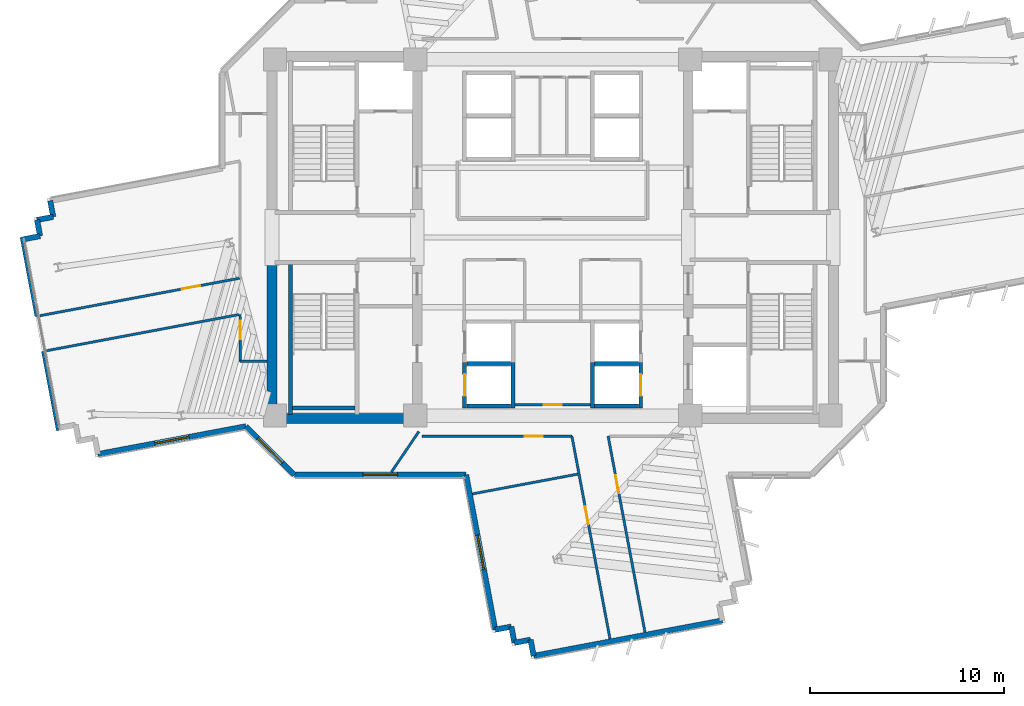
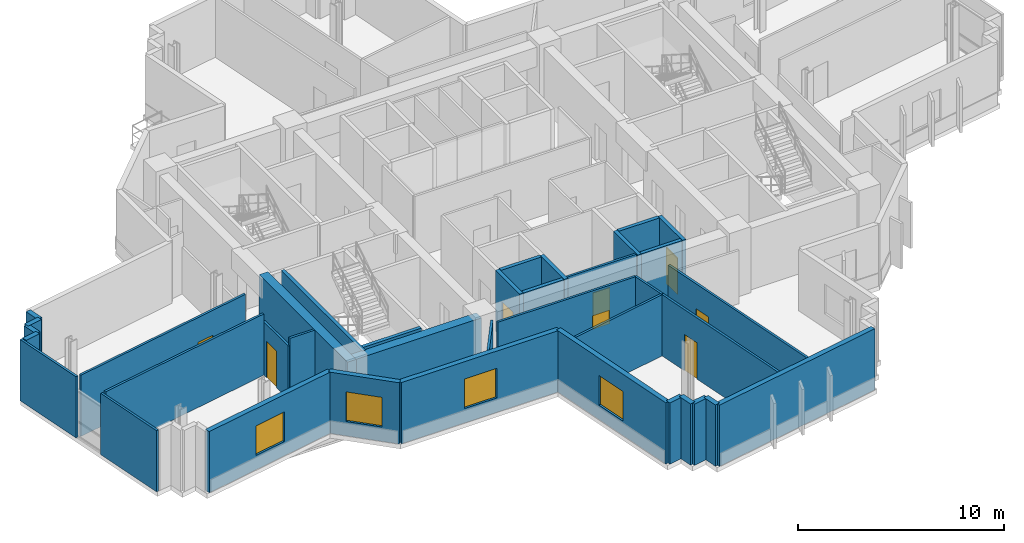
# One storey, part 8 of 16: 38 walls, 8 doors, 4 windows, 12 openings.
"""IFC4 building model written with IfcOpenShell, lengths in metres."""

from ifc_helpers import new_model, si_unit, direction, frame, frame_2d, origin, place, context, subcontext, project, spatial, rectangle, extrude, source, transform, mapped, material, layer, layer_set, type_object, element, fill, save


model = new_model("IFC4")

# Units and contexts
model_context = context("Model", 3, precision=1e-05, world=origin(), true_north=direction((0.0, 1.0)))
body_context = subcontext(model_context, "Body", "Model", "MODEL_VIEW")
ifc_project = project(units=[si_unit("LENGTHUNIT", "METRE"), si_unit("AREAUNIT", "SQUARE_METRE"), si_unit("VOLUMEUNIT", "CUBIC_METRE"), si_unit("PLANEANGLEUNIT", "RADIAN"), si_unit("MASSUNIT", "GRAM", prefix="KILO")], contexts=[model_context])

# Site, building, storey
site_placement = place(None, origin())
site = spatial("IfcSite", under=ifc_project, at=site_placement, CompositionType="ELEMENT")
building_placement = place(site_placement, origin())
building = spatial("IfcBuilding", under=site, at=building_placement, Name="Zahravan Cultural Tower", CompositionType="ELEMENT")
storey_placement = place(building_placement, frame((0.0, 0.0, 151.199951171875)))
storey = spatial("IfcBuildingStorey", under=building, at=storey_placement, Name="L34", CompositionType="ELEMENT", Elevation=151.199951171875)

# Wall, opening, window
ifc_material_1 = material(Name="Precast concrete C40/50", Category="concrete")
ifc_layer_1 = layer(ifc_material_1, 0.280029296875)
ifc_layer_set_1 = layer_set([ifc_layer_1], Name="Precast concrete C40/50")
wall_type_1 = type_object("IfcWallType", Name="EW-TC-280", PredefinedType="SOLIDWALL", material=ifc_layer_set_1)
wall_1_placement = place(storey_placement, frame((33.029052734375, 6.7431640625, 0.0), z_axis=(0.0, 0.0, 1.0), x_axis=(-0.184649032166, 0.982804525285, 0.0)))
wall_1 = element("IfcWall", 1, at=wall_1_placement, inside=storey, type_object=wall_type_1, Name="L34 Exterior Masonry Frame Wall 24", PredefinedType="SOLIDWALL", context=body_context, shape_type="SweptSolid", body=[
    extrude(rectangle(XDim=8.13671875, YDim=0.280029296875, at=frame_2d((4.068359375, 0.0))), origin(), (0.0, 0.0, 1.0), 3.6201171875),
])
opening_1_placement = place(wall_1_placement, frame((3.16796875, 0.0, 0.85009765625)))
opening_1 = element("IfcOpeningElement", 2, at=opening_1_placement, cuts=wall_1, Name="Opening WN-02", PredefinedType="OPENING", context=body_context, shape_type="SweptSolid", body=[
    extrude(rectangle(XDim=1.800048828125, YDim=1.75, at=frame_2d((0.89990234375, 0.875))), frame((0.0, 0.14990234375, 0.0), z_axis=(0.0, -1.0, 0.0), x_axis=(1.0, 0.0, 0.0)), (0.0, 0.0, 1.0), 0.300048828125),
])
ifc_material_2 = material(Name="Low-E solar-control double glazing", Category="glass")
window_type = type_object("IfcWindowType", Name="WN-REC-1800X1750", PartitioningType="DOUBLE_PANEL_VERTICAL", PredefinedType="WINDOW", material=ifc_material_2)
shared_shape_1 = source(origin(), body_context, "Body", "SweptSolid", [
    extrude(rectangle(XDim=1.800048828125, YDim=1.75, at=frame_2d((0.89990234375, 0.875))), frame((0.0, 0.030029296875, 0.0), z_axis=(0.0, -1.0, 0.0), x_axis=(1.0, 0.0, 0.0)), (0.0, 0.0, 1.0), 0.06005859375),
])
window_1_placement = place(opening_1_placement, origin())
window_1 = element("IfcWindow", 3, at=window_1_placement, inside=storey, type_object=window_type, Name="L34 Recessed Solar Window 05", OverallHeight=1.75, OverallWidth=1.800048828125, PartitioningType="DOUBLE_PANEL_VERTICAL", PredefinedType="WINDOW", context=body_context, shape_type="MappedRepresentation", body=[
    mapped(shared_shape_1, transform((0.0, 0.0, 0.0), x_axis=(1.0, 0.0, 0.0), y_axis=(0.0, 1.0, 0.0), z_axis=(0.0, 0.0, 1.0), scale=1.0)),
])
fill(opening_1, window_1)

wall_2_placement = place(storey_placement, frame((31.526611328125, 14.739990234375, 0.0), z_axis=(0.0, 0.0, 1.0), x_axis=(-1.0, 0.0, 0.0)))
wall_2 = element("IfcWall", 4, at=wall_2_placement, inside=storey, type_object=wall_type_1, Name="L34 Exterior Masonry Frame Wall 25", PredefinedType="SOLIDWALL", context=body_context, shape_type="SweptSolid", body=[
    extrude(rectangle(XDim=8.86865234375, YDim=0.280029296875, at=frame_2d((4.434326171875, 0.0))), origin(), (0.0, 0.0, 1.0), 3.6201171875),
])
opening_2_placement = place(wall_2_placement, frame((3.533935546875, 0.0, 0.85009765625)))
opening_2 = element("IfcOpeningElement", 5, at=opening_2_placement, cuts=wall_2, Name="Opening WN-02", PredefinedType="OPENING", context=body_context, shape_type="SweptSolid", body=[
    extrude(rectangle(XDim=1.800048828125, YDim=1.75, at=frame_2d((0.89990234375, 0.875))), frame((0.0, 0.14990234375, 0.0), z_axis=(0.0, -1.0, 0.0), x_axis=(1.0, 0.0, 0.0)), (0.0, 0.0, 1.0), 0.300048828125),
])
window_2_placement = place(opening_2_placement, origin())
window_2 = element("IfcWindow", 6, at=window_2_placement, inside=storey, type_object=window_type, Name="L34 Recessed Solar Window 06", OverallHeight=1.75, OverallWidth=1.800048828125, PartitioningType="DOUBLE_PANEL_VERTICAL", PredefinedType="WINDOW", context=body_context, shape_type="MappedRepresentation", body=[
    mapped(shared_shape_1, transform((0.0, 0.0, 0.0), x_axis=(1.0, 0.0, 0.0), y_axis=(0.0, 1.0, 0.0), z_axis=(0.0, 0.0, 1.0), scale=1.0)),
])
fill(opening_2, window_2)

wall_3_placement = place(storey_placement, frame((22.657958984375, 14.739990234375, 0.0), z_axis=(0.0, 0.0, 1.0), x_axis=(-0.707106781187, 0.707106781187, 0.0)))
wall_3 = element("IfcWall", 7, at=wall_3_placement, inside=storey, type_object=wall_type_1, Name="L34 Exterior Masonry Frame Wall 26", PredefinedType="SOLIDWALL", context=body_context, shape_type="SweptSolid", body=[
    extrude(rectangle(XDim=3.544189453125, YDim=0.280029296875, at=frame_2d((1.77197265625, 0.0))), origin(), (0.0, 0.0, 1.0), 3.6201171875),
])
opening_3_placement = place(wall_3_placement, frame((0.8720703125, 0.0, 0.85009765625)))
opening_3 = element("IfcOpeningElement", 8, at=opening_3_placement, cuts=wall_3, Name="Opening WN-02", PredefinedType="OPENING", context=body_context, shape_type="SweptSolid", body=[
    extrude(rectangle(XDim=1.800048828125, YDim=1.75, at=frame_2d((0.89990234375, 0.875))), frame((0.0, 0.14990234375, 0.0), z_axis=(0.0, -1.0, 0.0), x_axis=(1.0, 0.0, 0.0)), (0.0, 0.0, 1.0), 0.300048828125),
])
window_3_placement = place(opening_3_placement, origin())
window_3 = element("IfcWindow", 9, at=window_3_placement, inside=storey, type_object=window_type, Name="L34 Recessed Solar Window 07", OverallHeight=1.75, OverallWidth=1.800048828125, PartitioningType="DOUBLE_PANEL_VERTICAL", PredefinedType="WINDOW", context=body_context, shape_type="MappedRepresentation", body=[
    mapped(shared_shape_1, transform((0.0, 0.0, 0.0), x_axis=(1.0, 0.0, 0.0), y_axis=(0.0, 1.0, 0.0), z_axis=(0.0, 0.0, 1.0), scale=1.0)),
])
fill(opening_3, window_3)

wall_4_placement = place(storey_placement, frame((20.15185546875, 17.24609375, 0.0), z_axis=(0.0, 0.0, 1.0), x_axis=(-0.982809278234, -0.18462373254, 0.0)))
wall_4 = element("IfcWall", 10, at=wall_4_placement, inside=storey, type_object=wall_type_1, Name="L34 Exterior Masonry Frame Wall 27", PredefinedType="SOLIDWALL", context=body_context, shape_type="SweptSolid", body=[
    extrude(rectangle(XDim=7.783447265625, YDim=0.280029296875, at=frame_2d((3.8916015625, 0.0))), origin(), (0.0, 0.0, 1.0), 3.6201171875),
])
opening_4_placement = place(wall_4_placement, frame((2.991943359375, 0.0, 0.85009765625)))
opening_4 = element("IfcOpeningElement", 11, at=opening_4_placement, cuts=wall_4, Name="Opening WN-02", PredefinedType="OPENING", context=body_context, shape_type="SweptSolid", body=[
    extrude(rectangle(XDim=1.800048828125, YDim=1.75, at=frame_2d((0.89990234375, 0.875))), frame((0.0, 0.14990234375, 0.0), z_axis=(0.0, -1.0, 0.0), x_axis=(1.0, 0.0, 0.0)), (0.0, 0.0, 1.0), 0.300048828125),
])
window_4_placement = place(opening_4_placement, origin())
window_4 = element("IfcWindow", 12, at=window_4_placement, inside=storey, type_object=window_type, Name="L34 Recessed Solar Window 08", OverallHeight=1.75, OverallWidth=1.800048828125, PartitioningType="DOUBLE_PANEL_VERTICAL", PredefinedType="WINDOW", context=body_context, shape_type="MappedRepresentation", body=[
    mapped(shared_shape_1, transform((0.0, 0.0, 0.0), x_axis=(1.0, 0.0, 0.0), y_axis=(0.0, 1.0, 0.0), z_axis=(0.0, 0.0, 1.0), scale=1.0)),
])
fill(opening_4, window_4)

# Wall, opening, door
ifc_material_3 = material(Name="Gypsum plasterboard partition")
ifc_layer_2 = layer(ifc_material_3, 0.125)
ifc_layer_set_2 = layer_set([ifc_layer_2], Name="Gypsum plasterboard partition")
wall_type_2 = type_object("IfcWallType", Name="W-PART-125", PredefinedType="PARTITIONING", material=ifc_layer_set_2)
wall_5_placement = place(storey_placement, frame((37.945068359375, 18.360107421875, 0.0), z_axis=(0.0, 0.0, 1.0), x_axis=(-1.0, 0.0, 0.0)))
wall_5 = element("IfcWall", 13, at=wall_5_placement, inside=storey, type_object=wall_type_2, Name="L34 Interior Wall 075", PredefinedType="PARTITIONING", context=body_context, shape_type="SweptSolid", body=[
    extrude(rectangle(XDim=3.89013671875, YDim=0.125, at=frame_2d((1.945068359375, 0.0))), origin(), (0.0, 0.0, 1.0), 3.6201171875),
])
opening_5_placement = place(wall_5_placement, frame((1.469970703125, 0.0, 0.0)))
opening_5 = element("IfcOpeningElement", 14, at=opening_5_placement, cuts=wall_5, Name="Opening D-L34-17", PredefinedType="OPENING", context=body_context, shape_type="SweptSolid", body=[
    extrude(rectangle(XDim=0.949951171875, YDim=2.14990234375, at=frame_2d((0.47509765625, 1.074951171875))), frame((0.0, 0.072509765625, 0.0), z_axis=(0.0, -1.0, 0.0), x_axis=(1.0, 0.0, 0.0)), (0.0, 0.0, 1.0), 0.14501953125),
])
ifc_material_4 = material(Name="Anodised bronze-aluminium mullion", Category="aluminium")
door_type_1 = type_object("IfcDoorType", Name="DR-ROOM-950", OperationType="NOTDEFINED", PredefinedType="DOOR", material=ifc_material_4)
shared_shape_2 = source(origin(), body_context, "Body", "SweptSolid", [
    extrude(rectangle(XDim=0.949951171875, YDim=2.14990234375, at=frame_2d((0.47509765625, 1.074951171875))), frame((0.0, 0.02490234375, 0.0), z_axis=(0.0, -1.0, 0.0), x_axis=(1.0, 0.0, 0.0)), (0.0, 0.0, 1.0), 0.050048828125),
])
door_1_placement = place(opening_5_placement, origin())
door_1 = element("IfcDoor", 15, at=door_1_placement, inside=storey, type_object=door_type_1, Name="L34 Door D-L34-17", OperationType="SINGLE_SWING_RIGHT", OverallHeight=2.14990234375, OverallWidth=0.949951171875, PredefinedType="DOOR", context=body_context, shape_type="MappedRepresentation", body=[
    mapped(shared_shape_2, transform((0.0, 0.0, 0.0), x_axis=(1.0, 0.0, 0.0), y_axis=(0.0, 1.0, 0.0), z_axis=(0.0, 0.0, 1.0), scale=1.0)),
])
fill(opening_5, door_1)

wall_6_placement = place(storey_placement, frame((29.255859375, 16.739990234375, 0.0), z_axis=(0.0, 0.0, 1.0), x_axis=(1.0, 0.0, 0.0)))
wall_6 = element("IfcWall", 16, at=wall_6_placement, inside=storey, type_object=wall_type_2, Name="L34 Interior Wall 080", PredefinedType="PARTITIONING", context=body_context, shape_type="SweptSolid", body=[
    extrude(rectangle(XDim=7.735595703125, YDim=0.125, at=frame_2d((3.86767578125, 0.0))), origin(), (0.0, 0.0, 1.0), 3.6201171875),
])
opening_6_placement = place(wall_6_placement, frame((5.292724609375, 0.0, 0.0)))
opening_6 = element("IfcOpeningElement", 17, at=opening_6_placement, cuts=wall_6, Name="Opening D-L34-27", PredefinedType="OPENING", context=body_context, shape_type="SweptSolid", body=[
    extrude(rectangle(XDim=0.949951171875, YDim=2.14990234375, at=frame_2d((0.47509765625, 1.074951171875))), frame((0.0, 0.072509765625, 0.0), z_axis=(0.0, -1.0, 0.0), x_axis=(1.0, 0.0, 0.0)), (0.0, 0.0, 1.0), 0.14501953125),
])
door_2_placement = place(opening_6_placement, origin())
door_2 = element("IfcDoor", 18, at=door_2_placement, inside=storey, type_object=door_type_1, Name="L34 Door D-L34-27", OperationType="SINGLE_SWING_RIGHT", OverallHeight=2.14990234375, OverallWidth=0.949951171875, PredefinedType="DOOR", context=body_context, shape_type="MappedRepresentation", body=[
    mapped(shared_shape_2, transform((0.0, 0.0, 0.0), x_axis=(1.0, 0.0, 0.0), y_axis=(0.0, 1.0, 0.0), z_axis=(0.0, 0.0, 1.0), scale=1.0)),
])
fill(opening_6, door_2)

wall_7_placement = place(storey_placement, frame((37.361328125, 14.77099609375, 0.0), z_axis=(0.0, 0.0, 1.0), x_axis=(0.18463806937, -0.982806584908, 0.0)))
wall_7 = element("IfcWall", 19, at=wall_7_placement, inside=storey, type_object=wall_type_2, Name="L34 Interior Wall 088", PredefinedType="PARTITIONING", context=body_context, shape_type="SweptSolid", body=[
    extrude(rectangle(XDim=8.64501953125, YDim=0.125, at=frame_2d((4.322509765625, 0.0))), origin(), (0.0, 0.0, 1.0), 3.6201171875),
])
opening_7_placement = place(wall_7_placement, frame((1.69287109375, 0.0, 0.0)))
opening_7 = element("IfcOpeningElement", 20, at=opening_7_placement, cuts=wall_7, Name="Opening D-L34-28", PredefinedType="OPENING", context=body_context, shape_type="SweptSolid", body=[
    extrude(rectangle(XDim=0.949951171875, YDim=2.14990234375, at=frame_2d((0.47509765625, 1.074951171875))), frame((0.0, 0.072509765625, 0.0), z_axis=(0.0, -1.0, 0.0), x_axis=(1.0, 0.0, 0.0)), (0.0, 0.0, 1.0), 0.14501953125),
])
door_3_placement = place(opening_7_placement, origin())
door_3 = element("IfcDoor", 21, at=door_3_placement, inside=storey, type_object=door_type_1, Name="L34 Door D-L34-28", OperationType="SINGLE_SWING_LEFT", OverallHeight=2.14990234375, OverallWidth=0.949951171875, PredefinedType="DOOR", context=body_context, shape_type="MappedRepresentation", body=[
    mapped(shared_shape_2, transform((0.0, 0.0, 0.0), x_axis=(1.0, 0.0, 0.0), y_axis=(0.0, 1.0, 0.0), z_axis=(0.0, 0.0, 1.0), scale=1.0)),
])
fill(opening_7, door_3)

wall_8_placement = place(storey_placement, frame((19.849853515625, 24.902099609375, 0.0), z_axis=(0.0, 0.0, 1.0), x_axis=(-0.982804817995, -0.184647474194, 0.0)))
wall_8 = element("IfcWall", 22, at=wall_8_placement, inside=storey, type_object=wall_type_2, Name="L34 Interior Wall 096", PredefinedType="PARTITIONING", context=body_context, shape_type="SweptSolid", body=[
    extrude(rectangle(XDim=10.5126953125, YDim=0.125, at=frame_2d((5.25634765625, 0.0))), origin(), (0.0, 0.0, 1.0), 3.6201171875),
])
opening_8_placement = place(wall_8_placement, frame((2.103759765625, 0.0, 0.0)))
opening_8 = element("IfcOpeningElement", 23, at=opening_8_placement, cuts=wall_8, Name="Opening D-L34-25", PredefinedType="OPENING", context=body_context, shape_type="SweptSolid", body=[
    extrude(rectangle(XDim=0.949951171875, YDim=2.14990234375, at=frame_2d((0.47509765625, 1.074951171875))), frame((0.0, 0.072509765625, 0.0), z_axis=(0.0, -1.0, 0.0), x_axis=(1.0, 0.0, 0.0)), (0.0, 0.0, 1.0), 0.14501953125),
])
door_4_placement = place(opening_8_placement, origin())
door_4 = element("IfcDoor", 24, at=door_4_placement, inside=storey, type_object=door_type_1, Name="L34 Door D-L34-25", OperationType="SINGLE_SWING_RIGHT", OverallHeight=2.14990234375, OverallWidth=0.949951171875, PredefinedType="DOOR", context=body_context, shape_type="MappedRepresentation", body=[
    mapped(shared_shape_2, transform((0.0, 0.0, 0.0), x_axis=(1.0, 0.0, 0.0), y_axis=(0.0, 1.0, 0.0), z_axis=(0.0, 0.0, 1.0), scale=1.0)),
])
fill(opening_8, door_4)

wall_9_placement = place(storey_placement, frame((40.765869140625, 6.614501953125, 0.0), z_axis=(0.0, 0.0, 1.0), x_axis=(-0.184646211839, 0.982805055163, 0.0)))
wall_9 = element("IfcWall", 25, at=wall_9_placement, inside=storey, type_object=wall_type_2, Name="L34 Interior Wall 097", PredefinedType="PARTITIONING", context=body_context, shape_type="SweptSolid", body=[
    extrude(rectangle(XDim=10.302734375, YDim=0.125, at=frame_2d((5.1513671875, 0.0))), origin(), (0.0, 0.0, 1.0), 3.6201171875),
])
opening_9_placement = place(wall_9_placement, frame((7.295166015625, 0.0, 0.0)))
opening_9 = element("IfcOpeningElement", 26, at=opening_9_placement, cuts=wall_9, Name="Opening D-L34-29", PredefinedType="OPENING", context=body_context, shape_type="SweptSolid", body=[
    extrude(rectangle(XDim=0.949951171875, YDim=2.14990234375, at=frame_2d((0.47509765625, 1.074951171875))), frame((0.0, 0.072509765625, 0.0), z_axis=(0.0, -1.0, 0.0), x_axis=(1.0, 0.0, 0.0)), (0.0, 0.0, 1.0), 0.14501953125),
])
door_5_placement = place(opening_9_placement, origin())
door_5 = element("IfcDoor", 27, at=door_5_placement, inside=storey, type_object=door_type_1, Name="L34 Door D-L34-29", OperationType="SINGLE_SWING_RIGHT", OverallHeight=2.14990234375, OverallWidth=0.949951171875, PredefinedType="DOOR", context=body_context, shape_type="MappedRepresentation", body=[
    mapped(shared_shape_2, transform((0.0, 0.0, 0.0), x_axis=(1.0, 0.0, 0.0), y_axis=(0.0, 1.0, 0.0), z_axis=(0.0, 0.0, 1.0), scale=1.0)),
])
fill(opening_9, door_5)

wall_10_placement = place(storey_placement, frame((19.85009765625, 23.02978515625, 0.0), z_axis=(0.0, 0.0, 1.0), x_axis=(0.00040209084, -0.999999919161, 0.0)))
wall_10 = element("IfcWall", 28, at=wall_10_placement, inside=storey, type_object=wall_type_2, Name="L34 Interior Wall 105", PredefinedType="PARTITIONING", context=body_context, shape_type="SweptSolid", body=[
    extrude(rectangle(XDim=2.4287109375, YDim=0.125, at=frame_2d((1.21435546875, 0.0))), origin(), (0.0, 0.0, 1.0), 3.149169921875),
])
opening_10_placement = place(wall_10_placement, frame((0.3251953125, 0.0, 0.0)))
opening_10 = element("IfcOpeningElement", 29, at=opening_10_placement, cuts=wall_10, Name="Opening D-L34-26", PredefinedType="OPENING", context=body_context, shape_type="SweptSolid", body=[
    extrude(rectangle(XDim=0.949951171875, YDim=2.14990234375, at=frame_2d((0.47509765625, 1.074951171875))), frame((0.0, 0.072509765625, 0.0), z_axis=(0.0, -1.0, 0.0), x_axis=(1.0, 0.0, 0.0)), (0.0, 0.0, 1.0), 0.14501953125),
])
door_6_placement = place(opening_10_placement, origin())
door_6 = element("IfcDoor", 30, at=door_6_placement, inside=storey, type_object=door_type_1, Name="L34 Door D-L34-26", OperationType="SINGLE_SWING_LEFT", OverallHeight=2.14990234375, OverallWidth=0.949951171875, PredefinedType="DOOR", context=body_context, shape_type="MappedRepresentation", body=[
    mapped(shared_shape_2, transform((0.0, 0.0, 0.0), x_axis=(1.0, 0.0, 0.0), y_axis=(0.0, 1.0, 0.0), z_axis=(0.0, 0.0, 1.0), scale=1.0)),
])
fill(opening_10, door_6)

ifc_material_5 = material(Name="Concrete C45/55", Category="concrete")
ifc_layer_3 = layer(ifc_material_5, 0.199951171875)
ifc_layer_set_3 = layer_set([ifc_layer_3], Name="Concrete C45/55")
wall_type_3 = type_object("IfcWallType", Name="W-SHAFT-200", PredefinedType="SOLIDWALL", material=ifc_layer_set_3)
wall_11_placement = place(storey_placement, frame((31.449951171875, 18.199951171875, 0.0), z_axis=(0.0, 0.0, 1.0), x_axis=(0.0, 1.0, 0.0)))
wall_11 = element("IfcWall", 31, at=wall_11_placement, inside=storey, type_object=wall_type_3, Name="L34 Interior Wall 044", PredefinedType="SOLIDWALL", context=body_context, shape_type="SweptSolid", body=[
    extrude(rectangle(XDim=2.35009765625, YDim=0.199951171875, at=frame_2d((1.175048828125, 0.0))), origin(), (0.0, 0.0, 1.0), 3.6201171875),
])
opening_11_placement = place(wall_11_placement, frame((0.625, 0.0, 0.0)))
opening_11 = element("IfcOpeningElement", 32, at=opening_11_placement, cuts=wall_11, Name="Opening LD-L34-05", PredefinedType="OPENING", context=body_context, shape_type="SweptSolid", body=[
    extrude(rectangle(XDim=1.10009765625, YDim=2.14990234375, at=frame_2d((0.550048828125, 1.074951171875))), frame((0.0, 0.10986328125, 0.0), z_axis=(0.0, -1.0, 0.0), x_axis=(1.0, 0.0, 0.0)), (0.0, 0.0, 1.0), 0.219970703125),
])
ifc_material_6 = material(Name="Steel ASTM A572 Grade 50", Category="steel")
door_type_2 = type_object("IfcDoorType", Name="DR-LIFT-1100", OperationType="DOUBLE_DOOR_SLIDING", PredefinedType="DOOR", material=ifc_material_6)
shared_shape_3 = source(origin(), body_context, "Body", "SweptSolid", [
    extrude(rectangle(XDim=1.10009765625, YDim=2.14990234375, at=frame_2d((0.550048828125, 1.074951171875))), frame((0.0, 0.02490234375, 0.0), z_axis=(0.0, -1.0, 0.0), x_axis=(1.0, 0.0, 0.0)), (0.0, 0.0, 1.0), 0.050048828125),
])
door_7_placement = place(opening_11_placement, origin())
door_7 = element("IfcDoor", 33, at=door_7_placement, inside=storey, type_object=door_type_2, Name="L34 Door LD-L34-05", OperationType="DOUBLE_DOOR_SLIDING", OverallHeight=2.14990234375, OverallWidth=1.10009765625, PredefinedType="DOOR", context=body_context, shape_type="MappedRepresentation", body=[
    mapped(shared_shape_3, transform((0.0, 0.0, 0.0), x_axis=(1.0, 0.0, 0.0), y_axis=(0.0, 1.0, 0.0), z_axis=(0.0, 0.0, 1.0), scale=1.0)),
])
fill(opening_11, door_7)

wall_12_placement = place(storey_placement, frame((40.550048828125, 18.199951171875, 0.0), z_axis=(0.0, 0.0, 1.0), x_axis=(0.0, 1.0, 0.0)))
wall_12 = element("IfcWall", 34, at=wall_12_placement, inside=storey, type_object=wall_type_3, Name="L34 Interior Wall 052", PredefinedType="SOLIDWALL", context=body_context, shape_type="SweptSolid", body=[
    extrude(rectangle(XDim=2.35009765625, YDim=0.199951171875, at=frame_2d((1.175048828125, 0.0))), origin(), (0.0, 0.0, 1.0), 3.6201171875),
])
opening_12_placement = place(wall_12_placement, frame((0.625, 0.0, 0.0)))
opening_12 = element("IfcOpeningElement", 35, at=opening_12_placement, cuts=wall_12, Name="Opening LD-L34-07", PredefinedType="OPENING", context=body_context, shape_type="SweptSolid", body=[
    extrude(rectangle(XDim=1.10009765625, YDim=2.14990234375, at=frame_2d((0.550048828125, 1.074951171875))), frame((0.0, 0.10986328125, 0.0), z_axis=(0.0, -1.0, 0.0), x_axis=(1.0, 0.0, 0.0)), (0.0, 0.0, 1.0), 0.219970703125),
])
door_8_placement = place(opening_12_placement, origin())
door_8 = element("IfcDoor", 36, at=door_8_placement, inside=storey, type_object=door_type_2, Name="L34 Door LD-L34-07", OperationType="DOUBLE_DOOR_SLIDING", OverallHeight=2.14990234375, OverallWidth=1.10009765625, PredefinedType="DOOR", context=body_context, shape_type="MappedRepresentation", body=[
    mapped(shared_shape_3, transform((0.0, 0.0, 0.0), x_axis=(1.0, 0.0, 0.0), y_axis=(0.0, 1.0, 0.0), z_axis=(0.0, 0.0, 1.0), scale=1.0)),
])
fill(opening_12, door_8)

# Walls
ifc_material_7 = material(Name="Concrete C60/75", Category="concrete")
ifc_layer_4 = layer(ifc_material_7, 0.5)
ifc_layer_set_4 = layer_set([ifc_layer_4], Name="Concrete C60/75")
wall_type_4 = type_object("IfcWallType", Name="CW-SHEAR-500-C60", PredefinedType="SHEAR", material=ifc_layer_set_4)
shared_shape_4 = source(origin(), body_context, "Body", "SweptSolid", [
    extrude(rectangle(XDim=8.550048828125, YDim=0.5, at=frame_2d((4.27490234375, 0.0))), origin(), (0.0, 0.0, 1.0), 3.6201171875),
])
wall_13_placement = place(storey_placement, frame((21.5, 17.39990234375, 0.0), z_axis=(0.0, 0.0, 1.0), x_axis=(0.0, 1.0, 0.0)))
element("IfcWall", 37, at=wall_13_placement, inside=storey, type_object=wall_type_4, Name="L34 Core Shear Wall CW-W-WS-L34", PredefinedType="SHEAR", context=body_context, shape_type="MappedRepresentation", body=[
    mapped(shared_shape_4, transform((0.0, 0.0, 0.0), x_axis=(1.0, 0.0, 0.0), y_axis=(0.0, 1.0, 0.0), z_axis=(0.0, 0.0, 1.0), scale=1.0)),
])
shared_shape_5 = source(origin(), body_context, "Body", "SweptSolid", [
    extrude(rectangle(XDim=7.0, YDim=0.5, at=frame_2d((3.5, 0.0))), origin(), (0.0, 0.0, 1.0), 3.6201171875),
])
wall_14_placement = place(storey_placement, frame((21.75, 17.64990234375, 0.0), z_axis=(0.0, 0.0, 1.0), x_axis=(1.0, 0.0, 0.0)))
element("IfcWall", 38, at=wall_14_placement, inside=storey, type_object=wall_type_4, Name="L34 Core Shear Wall CW-W-S-L34", PredefinedType="SHEAR", context=body_context, shape_type="MappedRepresentation", body=[
    mapped(shared_shape_5, transform((0.0, 0.0, 0.0), x_axis=(1.0, 0.0, 0.0), y_axis=(0.0, 1.0, 0.0), z_axis=(0.0, 0.0, 1.0), scale=1.0)),
])
shared_shape_6 = source(origin(), body_context, "Body", "SweptSolid", [
    extrude(rectangle(XDim=0.85009765625, YDim=0.280029296875, at=frame_2d((0.425048828125, 0.0))), origin(), (0.0, 0.0, 1.0), 3.6201171875),
])
for number, where, z_axis, x_axis, name in (
    (39, (35.013916015625, 5.38623046875, 0.0), (0.0, 0.0, 1.0), (-0.184670010318, 0.982800583684, 0.0), "L34 Exterior Masonry Frame Wall 20"),
    (40, (34.85693359375, 6.2216796875, 0.0), (0.0, 0.0, 1.0), (-0.982800583684, -0.184670010318, 0.0), "L34 Exterior Masonry Frame Wall 21"),
    (41, (34.021484375, 6.064697265625, 0.0), (0.0, 0.0, 1.0), (-0.184670010318, 0.982800583684, 0.0), "L34 Exterior Masonry Frame Wall 22"),
    (42, (33.864501953125, 6.900146484375, 0.0), (0.0, 0.0, 1.0), (-0.982800583684, -0.184670010318, 0.0), "L34 Exterior Masonry Frame Wall 23"),
    (43, (8.68603515625, 26.915283203125, 0.0), (0.0, 0.0, 1.0), (0.982800583684, 0.184670010318, 0.0), "L34 Exterior Masonry Frame Wall 32"),
    (44, (9.521484375, 27.072265625, 0.0), (0.0, 0.0, 1.0), (-0.184670010318, 0.982800583684, 0.0), "L34 Exterior Masonry Frame Wall 33"),
    (45, (10.19970703125, 28.064697265625, 0.0), (0.0, 0.0, 1.0), (-0.184392582027, 0.982852672425, 0.0), "L34 Exterior Masonry Frame Wall 35"),
):
    element("IfcWall", number, at=place(storey_placement, frame(where, z_axis=z_axis, x_axis=x_axis)), inside=storey, type_object=wall_type_1, Name=name, PredefinedType="SOLIDWALL", context=body_context, shape_type="MappedRepresentation", body=[
        mapped(shared_shape_6, transform((0.0, 0.0, 0.0), x_axis=(1.0, 0.0, 0.0), y_axis=(0.0, 1.0, 0.0), z_axis=(0.0, 0.0, 1.0), scale=1.0)),
    ])
shared_shape_7 = source(origin(), body_context, "Body", "SweptSolid", [
    extrude(rectangle(XDim=0.849853515625, YDim=0.280029296875, at=frame_2d((0.4248046875, 0.0))), origin(), (0.0, 0.0, 1.0), 3.6201171875),
])
wall_15_placement = place(storey_placement, frame((9.364501953125, 27.90771484375, 0.0), z_axis=(0.0, 0.0, 1.0), x_axis=(0.982790785128, 0.184722149909, 0.0)))
element("IfcWall", 46, at=wall_15_placement, inside=storey, type_object=wall_type_1, Name="L34 Exterior Masonry Frame Wall 34", PredefinedType="SOLIDWALL", context=body_context, shape_type="MappedRepresentation", body=[
    mapped(shared_shape_7, transform((0.0, 0.0, 0.0), x_axis=(1.0, 0.0, 0.0), y_axis=(0.0, 1.0, 0.0), z_axis=(0.0, 0.0, 1.0), scale=1.0)),
])
shared_shape_8 = source(origin(), body_context, "Body", "SweptSolid", [
    extrude(rectangle(XDim=9.919921875, YDim=0.280029296875, at=frame_2d((4.9599609375, 0.0))), origin(), (0.0, 0.0, 1.0), 3.6201171875),
])
wall_16_placement = place(storey_placement, frame((44.76318359375, 7.2177734375, 0.0), z_axis=(0.0, 0.0, 1.0), x_axis=(-0.982807207568, -0.184634754994, 0.0)))
element("IfcWall", 47, at=wall_16_placement, inside=storey, type_object=wall_type_1, Name="L34 Exterior Masonry Frame Wall 19", PredefinedType="SOLIDWALL", context=body_context, shape_type="MappedRepresentation", body=[
    mapped(shared_shape_8, transform((0.0, 0.0, 0.0), x_axis=(1.0, 0.0, 0.0), y_axis=(0.0, 1.0, 0.0), z_axis=(0.0, 0.0, 1.0), scale=1.0)),
])
shared_shape_9 = source(origin(), body_context, "Body", "SweptSolid", [
    extrude(rectangle(XDim=7.869873046875, YDim=0.199951171875, at=frame_2d((3.93505859375, 0.0))), origin(), (0.0, 0.0, 1.0), 3.6201171875),
])
wall_17_placement = place(storey_placement, frame((22.449951171875, 17.85009765625, 0.0), z_axis=(0.0, 0.0, 1.0), x_axis=(0.0, 1.0, 0.0)))
element("IfcWall", 48, at=wall_17_placement, inside=storey, type_object=wall_type_3, Name="L34 Interior Wall 001", PredefinedType="SOLIDWALL", context=body_context, shape_type="MappedRepresentation", body=[
    mapped(shared_shape_9, transform((0.0, 0.0, 0.0), x_axis=(1.0, 0.0, 0.0), y_axis=(0.0, 1.0, 0.0), z_axis=(0.0, 0.0, 1.0), scale=1.0)),
])
shared_shape_10 = source(origin(), body_context, "Body", "SweptSolid", [
    extrude(rectangle(XDim=3.25, YDim=0.199951171875, at=frame_2d((1.625, 0.0))), origin(), (0.0, 0.0, 1.0), 3.6201171875),
])
wall_18_placement = place(storey_placement, frame((22.550048828125, 18.199951171875, 0.0), z_axis=(0.0, 0.0, 1.0), x_axis=(1.0, 0.0, 0.0)))
element("IfcWall", 49, at=wall_18_placement, inside=storey, type_object=wall_type_3, Name="L34 Interior Wall 019", PredefinedType="SOLIDWALL", context=body_context, shape_type="MappedRepresentation", body=[
    mapped(shared_shape_10, transform((0.0, 0.0, 0.0), x_axis=(1.0, 0.0, 0.0), y_axis=(0.0, 1.0, 0.0), z_axis=(0.0, 0.0, 1.0), scale=1.0)),
])
shared_shape_11 = source(origin(), body_context, "Body", "SweptSolid", [
    extrude(rectangle(XDim=2.260009765625, YDim=0.199951171875, at=frame_2d((1.1298828125, 0.0))), origin(), (0.0, 0.0, 1.0), 3.6201171875),
])
for number, where, z_axis, x_axis, name in (
    (50, (31.570068359375, 20.5, 0.0), (0.0, 0.0, 1.0), (1.0, 0.0, 0.0), "L34 Interior Wall 042"),
    (51, (31.570068359375, 18.300048828125, 0.0), (0.0, 0.0, 1.0), (1.0, 0.0, 0.0), "L34 Interior Wall 046"),
    (52, (38.169921875, 20.5, 0.0), (0.0, 0.0, 1.0), (1.0, 0.0, 0.0), "L34 Interior Wall 049"),
    (53, (38.169921875, 18.300048828125, 0.0), (0.0, 0.0, 1.0), (1.0, 0.0, 0.0), "L34 Interior Wall 053"),
):
    element("IfcWall", number, at=place(storey_placement, frame(where, z_axis=z_axis, x_axis=x_axis)), inside=storey, type_object=wall_type_3, Name=name, PredefinedType="SOLIDWALL", context=body_context, shape_type="MappedRepresentation", body=[
        mapped(shared_shape_11, transform((0.0, 0.0, 0.0), x_axis=(1.0, 0.0, 0.0), y_axis=(0.0, 1.0, 0.0), z_axis=(0.0, 0.0, 1.0), scale=1.0)),
    ])
shared_shape_12 = source(origin(), body_context, "Body", "SweptSolid", [
    extrude(rectangle(XDim=2.35009765625, YDim=0.199951171875, at=frame_2d((1.175048828125, 0.0))), origin(), (0.0, 0.0, 1.0), 3.6201171875),
])
for number, where, z_axis, x_axis, name in (
    (54, (33.949951171875, 18.199951171875, 0.0), (0.0, 0.0, 1.0), (0.0, 1.0, 0.0), "L34 Interior Wall 045"),
    (55, (38.050048828125, 18.199951171875, 0.0), (0.0, 0.0, 1.0), (0.0, 1.0, 0.0), "L34 Interior Wall 051"),
):
    element("IfcWall", number, at=place(storey_placement, frame(where, z_axis=z_axis, x_axis=x_axis)), inside=storey, type_object=wall_type_3, Name=name, PredefinedType="SOLIDWALL", context=body_context, shape_type="MappedRepresentation", body=[
        mapped(shared_shape_12, transform((0.0, 0.0, 0.0), x_axis=(1.0, 0.0, 0.0), y_axis=(0.0, 1.0, 0.0), z_axis=(0.0, 0.0, 1.0), scale=1.0)),
    ])
shared_shape_13 = source(origin(), body_context, "Body", "SweptSolid", [
    extrude(rectangle(XDim=1.9833984375, YDim=0.125, at=frame_2d((0.99169921875, 0.0))), origin(), (0.0, 0.0, 1.0), 3.6201171875),
])
wall_19_placement = place(storey_placement, frame((36.991455078125, 16.739990234375, 0.0), z_axis=(0.0, 0.0, 1.0), x_axis=(0.184645271511, -0.982805231828, 0.0)))
element("IfcWall", 56, at=wall_19_placement, inside=storey, type_object=wall_type_2, Name="L34 Interior Wall 081", PredefinedType="PARTITIONING", context=body_context, shape_type="MappedRepresentation", body=[
    mapped(shared_shape_13, transform((0.0, 0.0, 0.0), x_axis=(1.0, 0.0, 0.0), y_axis=(0.0, 1.0, 0.0), z_axis=(0.0, 0.0, 1.0), scale=1.0)),
])
shared_shape_14 = source(origin(), body_context, "Body", "SweptSolid", [
    extrude(rectangle(XDim=5.52734375, YDim=0.125, at=frame_2d((2.763671875, 0.0))), origin(), (0.0, 0.0, 1.0), 3.6201171875),
])
wall_20_placement = place(storey_placement, frame((37.291259765625, 14.7783203125, 0.0), z_axis=(0.0, 0.0, 1.0), x_axis=(-0.982808624954, -0.184627210117, 0.0)))
element("IfcWall", 57, at=wall_20_placement, inside=storey, type_object=wall_type_2, Name="L34 Interior Wall 082", PredefinedType="PARTITIONING", context=body_context, shape_type="MappedRepresentation", body=[
    mapped(shared_shape_14, transform((0.0, 0.0, 0.0), x_axis=(1.0, 0.0, 0.0), y_axis=(0.0, 1.0, 0.0), z_axis=(0.0, 0.0, 1.0), scale=1.0)),
])
shared_shape_15 = source(origin(), body_context, "Body", "SweptSolid", [
    extrude(rectangle(XDim=2.529541015625, YDim=0.125, at=frame_2d((1.2646484375, 0.0))), origin(), (0.0, 0.0, 1.0), 3.6201171875),
])
wall_21_placement = place(storey_placement, frame((27.669677734375, 14.885009765625, 0.0), z_axis=(0.0, 0.0, 1.0), x_axis=(0.560455418396, 0.82818459536, 0.0)))
element("IfcWall", 58, at=wall_21_placement, inside=storey, type_object=wall_type_2, Name="L34 Interior Wall 083", PredefinedType="PARTITIONING", context=body_context, shape_type="MappedRepresentation", body=[
    mapped(shared_shape_15, transform((0.0, 0.0, 0.0), x_axis=(1.0, 0.0, 0.0), y_axis=(0.0, 1.0, 0.0), z_axis=(0.0, 0.0, 1.0), scale=1.0)),
])
shared_shape_16 = source(origin(), body_context, "Body", "SweptSolid", [
    extrude(rectangle(XDim=4.159912109375, YDim=0.125, at=frame_2d((2.080078125, 0.0))), origin(), (0.0, 0.0, 1.0), 3.6201171875),
])
for number, where, z_axis, x_axis, name in (
    (59, (9.31396484375, 22.922607421875, 0.0), (0.0, 0.0, 1.0), (-0.184635785614, 0.982807013951, 0.0), "L34 Interior Wall 093"),
    (60, (10.421875, 17.02587890625, 0.0), (0.0, 0.0, 1.0), (-0.184635785614, 0.982807013951, 0.0), "L34 Interior Wall 107"),
):
    element("IfcWall", number, at=place(storey_placement, frame(where, z_axis=z_axis, x_axis=x_axis)), inside=storey, type_object=wall_type_2, Name=name, PredefinedType="PARTITIONING", context=body_context, shape_type="MappedRepresentation", body=[
        mapped(shared_shape_16, transform((0.0, 0.0, 0.0), x_axis=(1.0, 0.0, 0.0), y_axis=(0.0, 1.0, 0.0), z_axis=(0.0, 0.0, 1.0), scale=1.0)),
    ])
shared_shape_17 = source(origin(), body_context, "Body", "SweptSolid", [
    extrude(rectangle(XDim=1.39404296875, YDim=0.125, at=frame_2d((0.697021484375, 0.0))), origin(), (0.0, 0.0, 1.0), 3.6201171875),
])
wall_22_placement = place(storey_placement, frame((19.85107421875, 20.60107421875, 0.0), z_axis=(0.0, 0.0, 1.0), x_axis=(0.999999754632, -0.000700525222, 0.0)))
element("IfcWall", 61, at=wall_22_placement, inside=storey, type_object=wall_type_2, Name="L34 Interior Wall 106", PredefinedType="PARTITIONING", context=body_context, shape_type="MappedRepresentation", body=[
    mapped(shared_shape_17, transform((0.0, 0.0, 0.0), x_axis=(1.0, 0.0, 0.0), y_axis=(0.0, 1.0, 0.0), z_axis=(0.0, 0.0, 1.0), scale=1.0)),
])
shared_shape_18 = source(origin(), body_context, "Body", "SweptSolid", [
    extrude(rectangle(XDim=10.098388671875, YDim=0.125, at=frame_2d((5.04931640625, 0.0))), origin(), (0.0, 0.0, 1.0), 3.6201171875),
])
wall_23_placement = place(storey_placement, frame((9.857666015625, 21.152587890625, 0.0), z_axis=(0.0, 0.0, 1.0), x_axis=(0.982807535277, 0.1846330106, 0.0)))
element("IfcWall", 62, at=wall_23_placement, inside=storey, type_object=wall_type_2, Name="L34 Interior Wall 108", PredefinedType="PARTITIONING", context=body_context, shape_type="MappedRepresentation", body=[
    mapped(shared_shape_18, transform((0.0, 0.0, 0.0), x_axis=(1.0, 0.0, 0.0), y_axis=(0.0, 1.0, 0.0), z_axis=(0.0, 0.0, 1.0), scale=1.0)),
])

save(model, "model.ifc")
